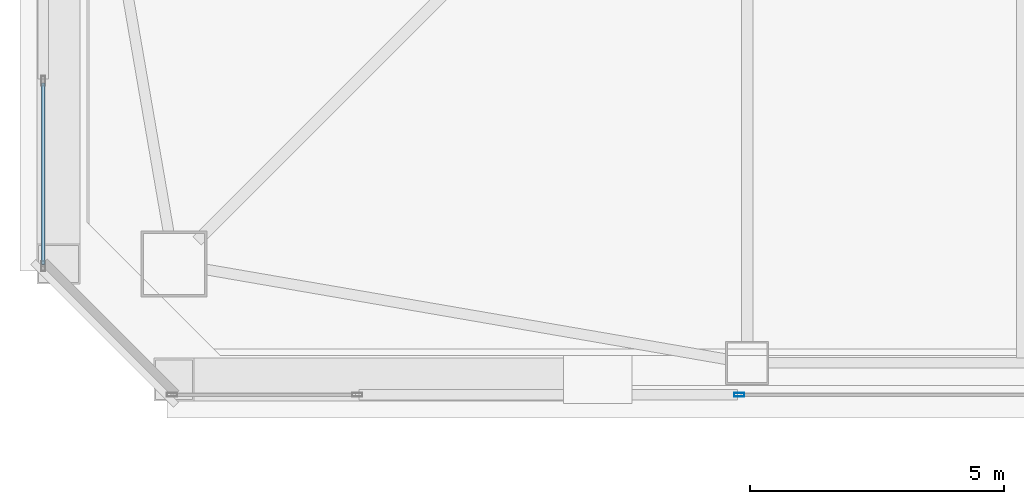
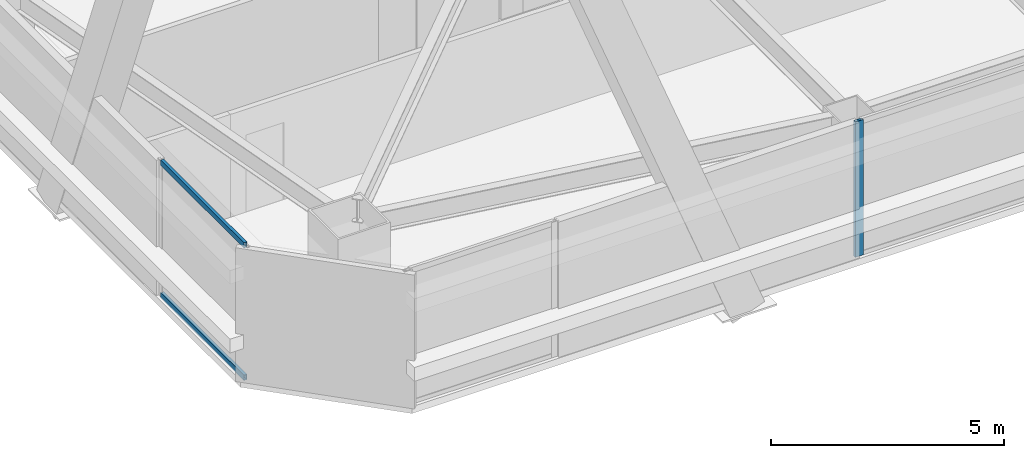
# One storey, part 5 of 54: 3 members, 2 elements without a shape of their own.
"""IFC4 building model written with IfcOpenShell, lengths in metres."""

from ifc_helpers import new_model, si_unit, direction, frame, origin, origin_2d, place, context, subcontext, project, spatial, hollow_rectangle, extrude, material, material_profile, profile_set, type_object, element, aggregate, save


model = new_model("IFC4")

# Units and contexts
model_context = context("Model", 3, precision=1e-05, world=origin(), true_north=direction((0.0, 1.0)))
body_context = subcontext(model_context, "Body", "Model", "MODEL_VIEW")
ifc_project = project(units=[si_unit("LENGTHUNIT", "METRE"), si_unit("AREAUNIT", "SQUARE_METRE"), si_unit("VOLUMEUNIT", "CUBIC_METRE"), si_unit("PLANEANGLEUNIT", "RADIAN"), si_unit("MASSUNIT", "GRAM", prefix="KILO")], contexts=[model_context])

# Site, building, storey
site_placement = place(None, origin())
site = spatial("IfcSite", under=ifc_project, at=site_placement, CompositionType="ELEMENT")
building_placement = place(site_placement, origin())
building = spatial("IfcBuilding", under=site, at=building_placement, Name="Tashvorn Skyway Center", CompositionType="ELEMENT")
storey_placement = place(building_placement, frame((0.0, 0.0, 135.699951171875)))
storey = spatial("IfcBuildingStorey", under=building, at=storey_placement, Name="L36", CompositionType="ELEMENT", Elevation=135.699951171875)

# Curtain wall, member
ifc_material = material(Name="Thermally broken bronze-anodized aluminium 6063-T6", Category="aluminium")
curtain_wall_type = type_object("IfcCurtainWallType", Name="CW-CW-Z3", PredefinedType="NOTDEFINED", material=ifc_material)
curtain_wall_1_placement = place(storey_placement, origin())
curtain_wall_1 = element("IfcCurtainWall", 1, at=curtain_wall_1_placement, inside=storey, type_object=curtain_wall_type, Name="Tower 1 L36 South Unitised Curtain Wall Glazing Group 2", PredefinedType="NOTDEFINED")
ifc_material_profile_1 = material_profile(ifc_material, hollow_rectangle(XDim=0.074951171875, YDim=0.199951171875, WallThickness=0.00439453125, at=origin_2d()), Name="ALU-MULL-75x200")
ifc_profile_set_1 = profile_set([ifc_material_profile_1], Name="Thermally broken bronze-anodized aluminium 6063-T6")
member_type_1 = type_object("IfcMemberType", Name="CWM-CW-Z3", PredefinedType="MULLION", material=ifc_profile_set_1)
member_1_placement = place(storey_placement, frame((36.444091796875, 12.719970703125, 0.0), z_axis=(0.0, 0.0, 1.0), x_axis=(0.0, -1.0, 0.0)))
member_1 = element("IfcMember", 2, at=member_1_placement, type_object=member_type_1, Name="CW-Z3 mullion 2", PredefinedType="MULLION", context=body_context, shape_type="SweptSolid", body=[
    extrude(hollow_rectangle(XDim=0.074951171875, YDim=0.199951171875, WallThickness=0.00439453125, at=origin_2d()), origin(), (0.0, 0.0, 1.0), 3.550048828125),
])
aggregate(curtain_wall_1, [member_1])

# Curtain wall, members
curtain_wall_2_placement = place(storey_placement, origin())
curtain_wall_2 = element("IfcCurtainWall", 3, at=curtain_wall_2_placement, inside=storey, type_object=curtain_wall_type, Name="Tower 1 L36 West Unitised Curtain Wall Glazing Group 1", PredefinedType="NOTDEFINED")
ifc_material_profile_2 = material_profile(ifc_material, hollow_rectangle(XDim=0.074951171875, YDim=0.139892578125, WallThickness=0.004150390625, at=origin_2d()), Name="ALU-TRAN-75x140")
ifc_profile_set_2 = profile_set([ifc_material_profile_2], Name="Thermally broken bronze-anodized aluminium 6063-T6")
member_type_2 = type_object("IfcMemberType", Name="CWT-CW-Z3", PredefinedType="USERDEFINED", material=ifc_profile_set_2)
member_2_placement = place(storey_placement, frame((22.719970703125, 15.294921875, 0.03759765625), z_axis=(0.0, 1.0, 0.0), x_axis=(-1.0, 0.0, 0.0)))
member_2 = element("IfcMember", 4, at=member_2_placement, type_object=member_type_2, Name="CW-Z3 transom 1.1", ObjectType="TRANSOM", PredefinedType="USERDEFINED", context=body_context, shape_type="SweptSolid", body=[
    extrude(hollow_rectangle(XDim=0.074951171875, YDim=0.139892578125, WallThickness=0.004150390625, at=origin_2d()), origin(), (0.0, 0.0, 1.0), 3.578857421875),
])
member_3_placement = place(storey_placement, frame((22.719970703125, 15.294921875, 3.512451171875), z_axis=(0.0, 1.0, 0.0), x_axis=(-1.0, 0.0, 0.0)))
member_3 = element("IfcMember", 5, at=member_3_placement, type_object=member_type_2, Name="CW-Z3 transom 1.2", ObjectType="TRANSOM", PredefinedType="USERDEFINED", context=body_context, shape_type="SweptSolid", body=[
    extrude(hollow_rectangle(XDim=0.074951171875, YDim=0.139892578125, WallThickness=0.004150390625, at=origin_2d()), origin(), (0.0, 0.0, 1.0), 3.578857421875),
])
aggregate(curtain_wall_2, [member_2, member_3])

save(model, "model.ifc")
